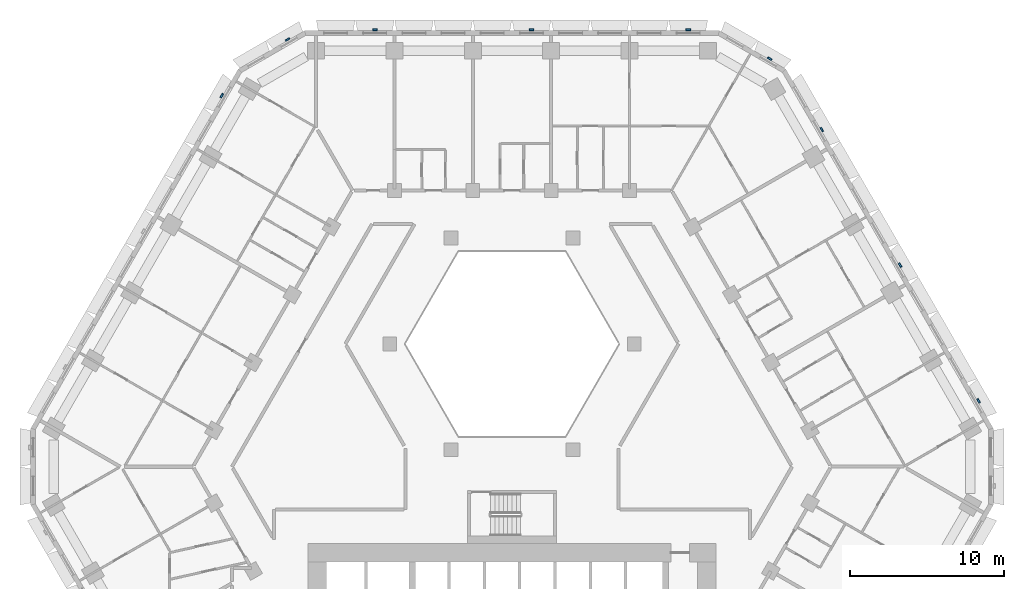
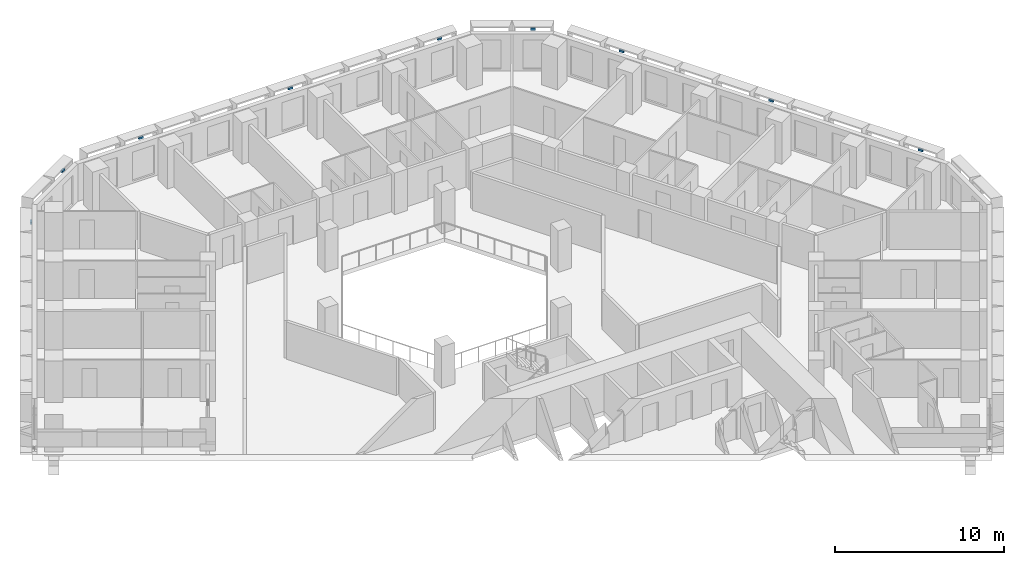
# One storey, part 15 of 21: 9 discrete accessories.
"""IFC4 building model written with IfcOpenShell, lengths in metres."""

from ifc_helpers import new_model, si_unit, direction, frame, origin, place, context, subcontext, project, spatial, polyline, outline, extrude, source, transform, mapped, material, type_object, type_shapes, element, save


model = new_model("IFC4")

# Units and contexts
model_context = context("Model", 3, precision=1e-05, world=origin(), true_north=direction((0.0, 1.0)))
body_context = subcontext(model_context, "Body", "Model", "MODEL_VIEW")
ifc_project = project(units=[si_unit("LENGTHUNIT", "METRE"), si_unit("AREAUNIT", "SQUARE_METRE"), si_unit("VOLUMEUNIT", "CUBIC_METRE"), si_unit("PLANEANGLEUNIT", "RADIAN"), si_unit("MASSUNIT", "GRAM", prefix="KILO")], contexts=[model_context])

# Site, building, storey
site_placement = place(None, origin())
site = spatial("IfcSite", under=ifc_project, at=site_placement, CompositionType="ELEMENT")
building_placement = place(site_placement, origin())
building = spatial("IfcBuilding", under=site, at=building_placement, Name="Beryl Residences", CompositionType="ELEMENT")
storey_placement = place(building_placement, frame((0.0, 0.0, 35.39990234375)))
storey = spatial("IfcBuildingStorey", under=building, at=storey_placement, Name="L10", CompositionType="ELEMENT", Elevation=35.39990234375)

# Discrete accessories
ifc_material = material(Name="Steel S355", Category="steel")
discrete_accessory_type = type_object("IfcDiscreteAccessoryType", Name="BR1 frame bracket 300 x 120 x 150 mm", PredefinedType="BRACKET", material=ifc_material)
shared_shape = source(origin(), body_context, "Body", "SweptSolid", [
    extrude(outline(polyline([(-0.14990234375, 0.0), (0.14990234375, 0.0), (0.14990234375, 0.1201171875), (-0.14990234375, 0.1201171875), (-0.14990234375, 0.0)])), origin(), (0.0, 0.0, 1.0), 0.14990234375),
])
type_shapes(discrete_accessory_type, [shared_shape])
for number, where, z_axis, x_axis, name in (
    (1, (11.48291015625, 28.39990234375, 2.75), (0.0, 0.0, 1.0), (1.0, 0.0, 0.0), "BR1 bracket L10 N 1"),
    (2, (1.27490234375, 28.39990234375, 2.75), (0.0, 0.0, 1.0), (1.0, 0.0, 0.0), "BR1 bracket L10 N 5"),
    (3, (-8.93310546875, 28.39990234375, 2.75), (0.0, 0.0, 1.0), (1.0, 0.0, 0.0), "BR1 bracket L10 N 9"),
    (4, (-14.593017578125, 27.77490234375, 2.75), (0.0, 0.0, 1.0), (0.866025403784, 0.5, 0.0), "BR1 bracket L10 N-NW 1"),
    (5, (-18.85400390625, 24.14501953125, 2.75), (0.0, 0.0, 1.0), (0.5, 0.866025403784, 0.0), "BR1 bracket L10 NW 1"),
    (6, (30.3359375, 4.2548828125, 2.75), (0.0, 0.0, 1.0), (0.5, -0.866025403784, 0.0), "BR1 bracket L10 NE 1"),
    (7, (25.23193359375, 13.095947265625, 2.75), (0.0, 0.0, 1.0), (0.5, -0.866025403784, 0.0), "BR1 bracket L10 NE 5"),
    (8, (20.12890625, 21.93603515625, 2.75), (0.0, 0.0, 1.0), (0.5, -0.866025403784, 0.0), "BR1 bracket L10 NE 9"),
    (9, (16.758056640625, 26.52490234375, 2.75), (0.0, 0.0, 1.0), (0.866025403784, -0.5, 0.0), "BR1 bracket L10 NE-N 1"),
):
    element("IfcDiscreteAccessory", number, at=place(storey_placement, frame(where, z_axis=z_axis, x_axis=x_axis)), inside=storey, type_object=discrete_accessory_type, Name=name, PredefinedType="BRACKET", context=body_context, shape_type="MappedRepresentation", body=[
        mapped(shared_shape, transform((0.0, 0.0, 0.0))),
    ])

save(model, "model.ifc")
